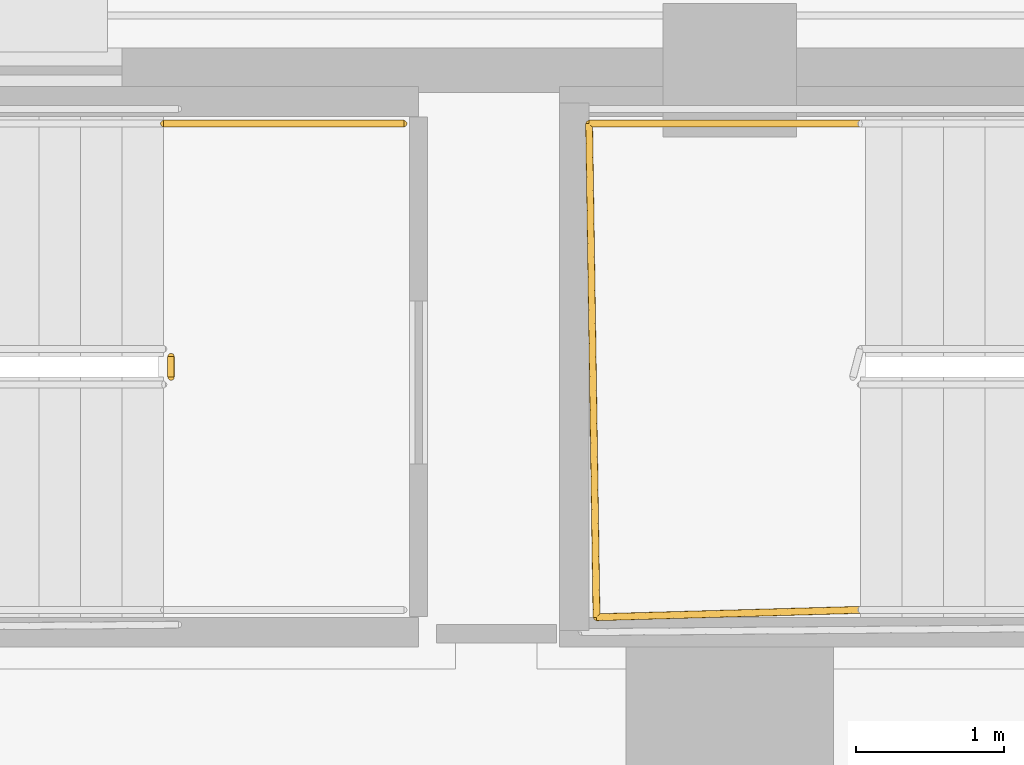
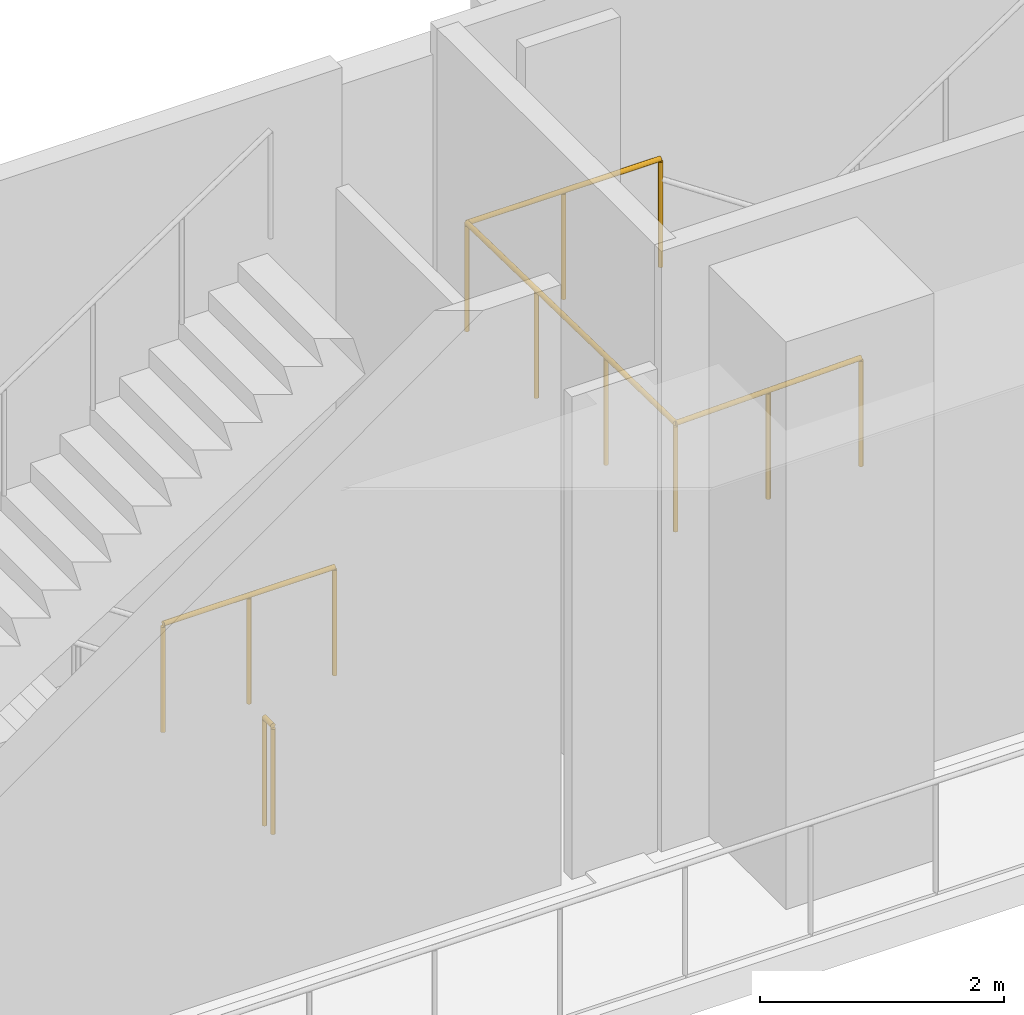
# One storey, part 24 of 29: 3 railings.
"""IFC4 building model written with IfcOpenShell, lengths in metres."""

from ifc_helpers import new_model, si_unit, direction, frame, origin, origin_2d, place, context, subcontext, project, spatial, circle, extrude, material, layer, layer_set, type_object, element, save


model = new_model("IFC4")

# Units and contexts
model_context = context("Model", 3, precision=1e-05, world=origin(), true_north=direction((0.0, 1.0)))
body_context = subcontext(model_context, "Body", "Model", "MODEL_VIEW")
ifc_project = project(units=[si_unit("LENGTHUNIT", "METRE"), si_unit("AREAUNIT", "SQUARE_METRE"), si_unit("VOLUMEUNIT", "CUBIC_METRE"), si_unit("PLANEANGLEUNIT", "RADIAN"), si_unit("MASSUNIT", "GRAM", prefix="KILO")], contexts=[model_context])

# Site, building, storey
site_placement = place(None, origin())
site = spatial("IfcSite", under=ifc_project, at=site_placement, CompositionType="ELEMENT")
building_placement = place(site_placement, origin())
building = spatial("IfcBuilding", under=site, at=building_placement, Name="Ndaravel Arena Tower", CompositionType="ELEMENT")
storey_placement = place(building_placement, frame((0.0, 0.0, 12.0)))
storey = spatial("IfcBuildingStorey", under=building, at=storey_placement, Name="L02", CompositionType="ELEMENT", Elevation=12.0)

# Railings
ifc_material = material(Name="Steel S355", Category="steel")
ifc_layer = layer(ifc_material, 0.06005859375)
ifc_layer_set = layer_set([ifc_layer], Name="Steel S355")
railing_type = type_object("IfcRailingType", Name="RAIL-STAIR-GD1100", PredefinedType="GUARDRAIL", material=ifc_layer_set)
railing_1_placement = place(storey_placement, frame((60.22998046875, 45.52001953125, 0.0)))
element("IfcRailing", 1, at=railing_1_placement, inside=storey, type_object=railing_type, Name="L02 ST-A10 stair guard 4", PredefinedType="GUARDRAIL", context=body_context, shape_type="SweptSolid", body=[
    extrude(circle(Radius=0.02392578125, at=origin_2d()), frame((0.0, 0.0, 1.076171875), z_axis=(0.0, -1.0, 0.0), x_axis=(1.0, 0.0, 0.0)), (0.0, 0.0, 1.0), 0.14013671875),
    extrude(circle(Radius=0.02099609375, at=origin_2d()), origin(), (0.0, 0.0, 1.0), 1.052001953125),
    extrude(circle(Radius=0.02099609375, at=origin_2d()), frame((0.0, -0.14013671875, 0.0)), (0.0, 0.0, 1.0), 1.052001953125),
])
railing_2_placement = place(storey_placement, frame((61.800048828125, 47.090087890625, 0.0)))
element("IfcRailing", 2, at=railing_2_placement, inside=storey, type_object=railing_type, Name="L02 ST-A10 stair guard 5", PredefinedType="GUARDRAIL", context=body_context, shape_type="SweptSolid", body=[
    extrude(circle(Radius=0.02392578125, at=origin_2d()), frame((0.0, 0.0, 1.076171875), z_axis=(-1.0, 0.0, 0.0), x_axis=(0.0, -1.0, 0.0)), (0.0, 0.0, 1.0), 1.6201171875),
    extrude(circle(Radius=0.02099609375, at=origin_2d()), origin(), (0.0, 0.0, 1.0), 1.052001953125),
    extrude(circle(Radius=0.02099609375, at=origin_2d()), frame((-0.81005859375, 0.0, 0.0)), (0.0, 0.0, 1.0), 1.052001953125),
    extrude(circle(Radius=0.02099609375, at=origin_2d()), frame((-1.6201171875, 0.0, 0.0)), (0.0, 0.0, 1.0), 1.052001953125),
])
railing_3_placement = place(storey_placement, frame((64.8798828125, 47.090087890625, 3.0)))
element("IfcRailing", 3, at=railing_3_placement, inside=storey, type_object=railing_type, Name="L02 ST-A11 stair guard 2", PredefinedType="GUARDRAIL", context=body_context, shape_type="SweptSolid", body=[
    extrude(circle(Radius=0.02392578125, at=origin_2d()), frame((0.0, 0.0, 1.076171875), z_axis=(-1.0, 0.0, 0.0), x_axis=(0.0, -1.0, 0.0)), (0.0, 0.0, 1.0), 1.829833984375),
    extrude(circle(Radius=0.02392578125, at=origin_2d()), frame((-1.829833984375, 0.0, 1.076171875), z_axis=(0.015027628384, -0.999887078817, 0.0), x_axis=(0.999887078817, 0.015027628384, 0.0)), (0.0, 0.0, 1.0), 3.33056640625),
    extrude(circle(Radius=0.02392578125, at=origin_2d()), frame((-1.77978515625, -3.330078125, 1.076171875), z_axis=(0.999604847084, 0.028109601324, 0.0), x_axis=(-0.028109601324, 0.999604847084, 0.0)), (0.0, 0.0, 1.0), 1.780517578125),
    extrude(circle(Radius=0.02099609375, at=origin_2d()), origin(), (0.0, 0.0, 1.0), 1.052001953125),
    extrude(circle(Radius=0.02099609375, at=origin_2d()), frame((-0.9150390625, 0.0, 0.0)), (0.0, 0.0, 1.0), 1.052001953125),
    extrude(circle(Radius=0.02099609375, at=origin_2d()), frame((-1.829833984375, 0.0, 0.0)), (0.0, 0.0, 1.0), 1.052001953125),
    extrude(circle(Radius=0.02099609375, at=origin_2d()), frame((-1.813232421875, -1.110107421875, 0.0)), (0.0, 0.0, 1.0), 1.052001953125),
    extrude(circle(Radius=0.02099609375, at=origin_2d()), frame((-1.79638671875, -2.219970703125, 0.0)), (0.0, 0.0, 1.0), 1.052001953125),
    extrude(circle(Radius=0.02099609375, at=origin_2d()), frame((-1.77978515625, -3.330078125, 0.0)), (0.0, 0.0, 1.0), 1.052001953125),
    extrude(circle(Radius=0.02099609375, at=origin_2d()), frame((-0.889892578125, -3.30517578125, 0.0)), (0.0, 0.0, 1.0), 1.052001953125),
    extrude(circle(Radius=0.02099609375, at=origin_2d()), frame((0.0, -3.280029296875, 0.0)), (0.0, 0.0, 1.0), 1.052001953125),
])

save(model, "model.ifc")
